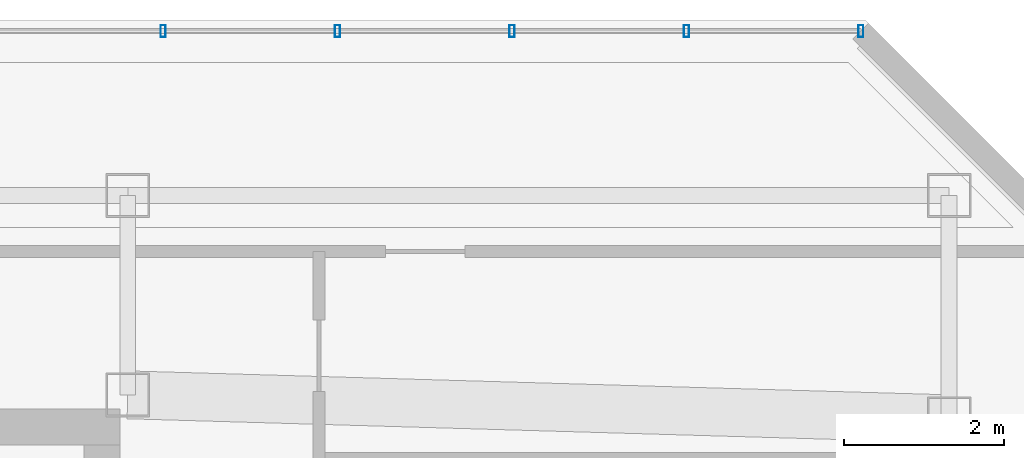
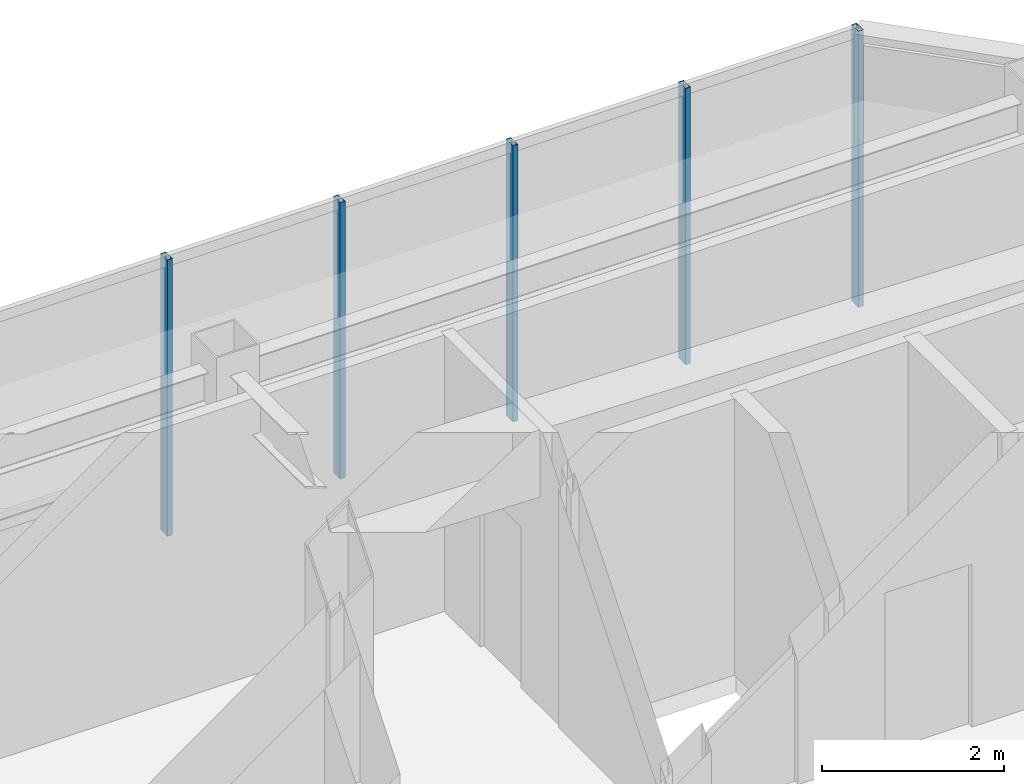
# One storey, part 18 of 24: 5 members, 1 element without a shape of its own.
"""IFC4 building model written with IfcOpenShell, lengths in metres."""

from ifc_helpers import new_model, si_unit, direction, frame, origin, origin_2d, place, context, subcontext, project, spatial, hollow_rectangle, extrude, material, layer, layer_set, material_profile, profile_set, type_object, element, aggregate, save


model = new_model("IFC4")

# Units and contexts
model_context = context("Model", 3, precision=1e-05, world=origin(), true_north=direction((0.0, 1.0)))
body_context = subcontext(model_context, "Body", "Model", "MODEL_VIEW")
ifc_project = project(units=[si_unit("LENGTHUNIT", "METRE"), si_unit("AREAUNIT", "SQUARE_METRE"), si_unit("VOLUMEUNIT", "CUBIC_METRE"), si_unit("PLANEANGLEUNIT", "RADIAN"), si_unit("MASSUNIT", "GRAM", prefix="KILO")], contexts=[model_context])

# Site, building, storey
site_placement = place(None, origin())
site = spatial("IfcSite", under=ifc_project, at=site_placement, CompositionType="ELEMENT")
building_placement = place(site_placement, origin())
building = spatial("IfcBuilding", under=site, at=building_placement, Name="Hatsunagi Terrace Concourse", CompositionType="ELEMENT")
storey_placement = place(building_placement, frame((0.0, 0.0, 285.949951171875)))
storey = spatial("IfcBuildingStorey", under=building, at=storey_placement, Name="L75", CompositionType="ELEMENT", Elevation=285.949951171875)

# Curtain wall, members
ifc_material_1 = material(Name="Anodised Aluminium Alloy 6063-T5", Category="aluminium")
ifc_layer = layer(ifc_material_1, 0.199951171875)
ifc_layer_set = layer_set([ifc_layer], Name="CrownWintergarden_CW06")
curtain_wall_type = type_object("IfcCurtainWallType", Name="CrownWintergarden_CW06", PredefinedType="NOTDEFINED", material=ifc_layer_set)
curtain_wall_placement = place(storey_placement, origin())
curtain_wall = element("IfcCurtainWall", 1, at=curtain_wall_placement, inside=storey, type_object=curtain_wall_type, Name="Unitised Curtain Wall CW-06 CW-L75-09", PredefinedType="NOTDEFINED")
ifc_material_2 = material(Name="Anodised Aluminium Alloy 6063-T5", Category="aluminium")
ifc_material_profile = material_profile(ifc_material_2, hollow_rectangle(XDim=0.06494140625, YDim=0.14990234375, WallThickness=0.00390625, at=origin_2d()), Name="ALU-MUL-150x65x4")
ifc_profile_set = profile_set([ifc_material_profile], Name="Anodised Aluminium Alloy 6063-T5")
member_type = type_object("IfcMemberType", Name="CurtainWallMullion_Crown_150x65", PredefinedType="MULLION", material=ifc_profile_set)
member_1_placement = place(storey_placement, frame((33.7939453125, 47.860107421875, 0.0), z_axis=(0.0, 0.0, 1.0), x_axis=(1.0, 0.0, 0.0)))
member_1 = element("IfcMember", 2, at=member_1_placement, type_object=member_type, Name="Curtain Wall Mullion MUL-03", PredefinedType="MULLION", context=body_context, shape_type="SweptSolid", body=[
    extrude(hollow_rectangle(XDim=0.06494140625, YDim=0.14990234375, WallThickness=0.00390625, at=origin_2d()), origin(), (0.0, 0.0, 1.0), 3.699951171875),
])
member_2_placement = place(storey_placement, frame((35.98095703125, 47.860107421875, 0.0), z_axis=(0.0, 0.0, 1.0), x_axis=(1.0, 0.0, 0.0)))
member_2 = element("IfcMember", 3, at=member_2_placement, type_object=member_type, Name="Curtain Wall Mullion MUL-03", PredefinedType="MULLION", context=body_context, shape_type="SweptSolid", body=[
    extrude(hollow_rectangle(XDim=0.06494140625, YDim=0.14990234375, WallThickness=0.00390625, at=origin_2d()), origin(), (0.0, 0.0, 1.0), 3.699951171875),
])
member_3_placement = place(storey_placement, frame((38.16796875, 47.860107421875, 0.0), z_axis=(0.0, 0.0, 1.0), x_axis=(1.0, 0.0, 0.0)))
member_3 = element("IfcMember", 4, at=member_3_placement, type_object=member_type, Name="Curtain Wall Mullion MUL-03", PredefinedType="MULLION", context=body_context, shape_type="SweptSolid", body=[
    extrude(hollow_rectangle(XDim=0.06494140625, YDim=0.14990234375, WallThickness=0.00390625, at=origin_2d()), origin(), (0.0, 0.0, 1.0), 3.699951171875),
])
member_4_placement = place(storey_placement, frame((40.35498046875, 47.860107421875, 0.0), z_axis=(0.0, 0.0, 1.0), x_axis=(1.0, 0.0, 0.0)))
member_4 = element("IfcMember", 5, at=member_4_placement, type_object=member_type, Name="Curtain Wall Mullion MUL-03", PredefinedType="MULLION", context=body_context, shape_type="SweptSolid", body=[
    extrude(hollow_rectangle(XDim=0.06494140625, YDim=0.14990234375, WallThickness=0.00390625, at=origin_2d()), origin(), (0.0, 0.0, 1.0), 3.699951171875),
])
member_5_placement = place(storey_placement, frame((42.5419921875, 47.860107421875, 0.0), z_axis=(0.0, 0.0, 1.0), x_axis=(1.0, 0.0, 0.0)))
member_5 = element("IfcMember", 6, at=member_5_placement, type_object=member_type, Name="Curtain Wall Mullion MUL-03", PredefinedType="MULLION", context=body_context, shape_type="SweptSolid", body=[
    extrude(hollow_rectangle(XDim=0.06494140625, YDim=0.14990234375, WallThickness=0.00390625, at=origin_2d()), origin(), (0.0, 0.0, 1.0), 3.699951171875),
])
aggregate(curtain_wall, [member_1, member_2, member_3, member_4, member_5])

save(model, "model.ifc")
